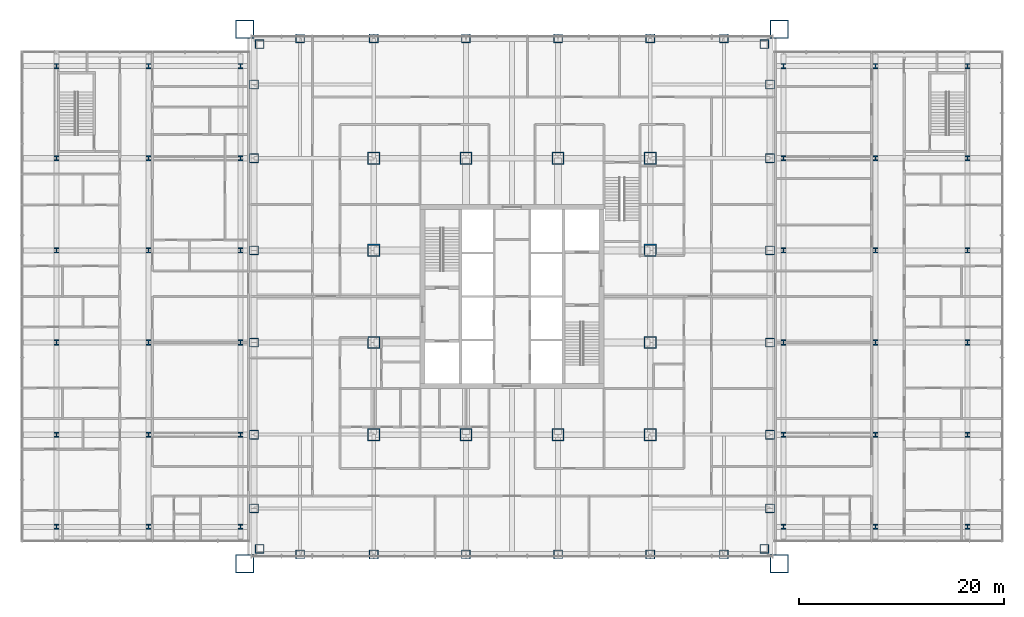
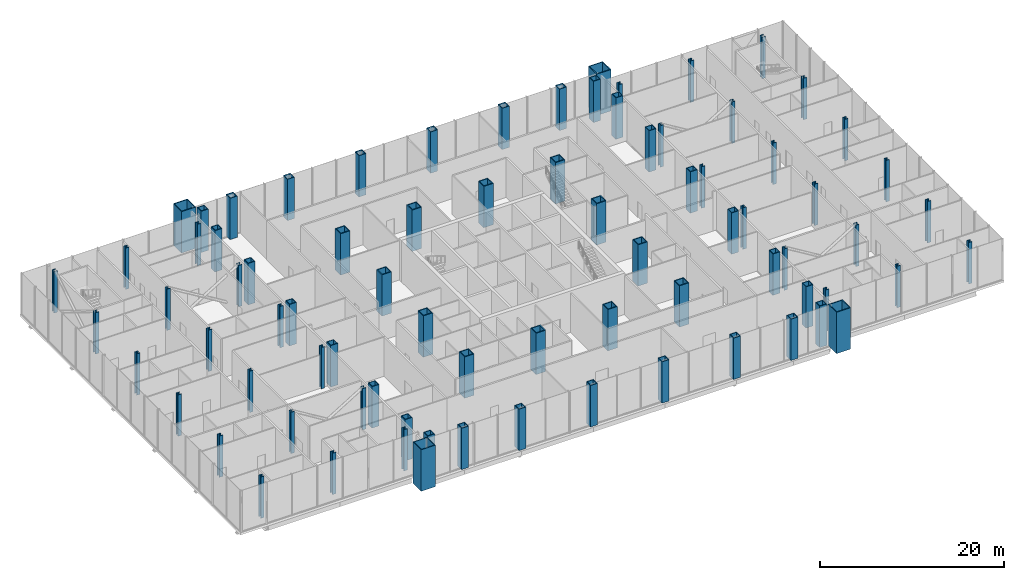
# One storey, part 1 of 25: 80 columns.
"""IFC4 building model written with IfcOpenShell, lengths in metres."""

from ifc_helpers import new_model, si_unit, direction, frame, origin, origin_2d, place, context, subcontext, project, spatial, hollow_rectangle, i_section, extrude, material, material_profile, profile_set, type_object, element, save


model = new_model("IFC4")

# Units and contexts
model_context = context("Model", 3, precision=1e-05, world=origin(), true_north=direction((0.0, 1.0)))
body_context = subcontext(model_context, "Body", "Model", "MODEL_VIEW")
ifc_project = project(units=[si_unit("LENGTHUNIT", "METRE"), si_unit("AREAUNIT", "SQUARE_METRE"), si_unit("VOLUMEUNIT", "CUBIC_METRE"), si_unit("PLANEANGLEUNIT", "RADIAN"), si_unit("MASSUNIT", "GRAM", prefix="KILO")], contexts=[model_context])

# Site, building, storey
site_placement = place(None, origin())
site = spatial("IfcSite", under=ifc_project, at=site_placement, CompositionType="ELEMENT")
building_placement = place(site_placement, origin())
building = spatial("IfcBuilding", under=site, at=building_placement, Name="Malebo Sky Hospital", CompositionType="ELEMENT")
storey_placement = place(building_placement, frame((0.0, 0.0, 11.0)))
storey = spatial("IfcBuildingStorey", under=building, at=storey_placement, Name="L02", CompositionType="ELEMENT", Elevation=11.0)

# Columns
ifc_material_1 = material(Name="Steel S460", Category="steel")
ifc_material_profile_1 = material_profile(ifc_material_1, hollow_rectangle(XDim=1.199951171875, YDim=1.199951171875, WallThickness=0.10009765625, at=origin_2d()), Name="BOX 1200x1200x100")
ifc_profile_set_1 = profile_set([ifc_material_profile_1], Name="Steel S460")
column_type_1 = type_object("IfcColumnType", Name="INNER COLUMN BOX 1200x1200x100", PredefinedType="COLUMN", material=ifc_profile_set_1)
for number, where, z_axis, x_axis, name in (
    (1, (46.5, 48.5, 0.0), (0.0, 0.0, 1.0), (1.0, 0.0, 0.0), "Column IC11 L02"),
    (2, (73.5, 48.5, 0.0), (0.0, 0.0, 1.0), (1.0, 0.0, 0.0), "Column IC11 L02"),
    (3, (73.5, 75.5, 0.0), (0.0, 0.0, 1.0), (1.0, 0.0, 0.0), "Column IC11 L02"),
    (4, (46.5, 75.5, 0.0), (0.0, 0.0, 1.0), (1.0, 0.0, 0.0), "Column IC11 L02"),
    (5, (55.5, 48.5, 0.0), (0.0, 0.0, 1.0), (1.0, 0.0, 0.0), "Column IC11 L02"),
    (6, (64.5, 48.5, 0.0), (0.0, 0.0, 1.0), (1.0, 0.0, 0.0), "Column IC11 L02"),
    (7, (55.5, 75.5, 0.0), (0.0, 0.0, 1.0), (1.0, 0.0, 0.0), "Column IC11 L02"),
    (8, (64.5, 75.5, 0.0), (0.0, 0.0, 1.0), (1.0, 0.0, 0.0), "Column IC11 L02"),
    (9, (46.5, 57.5, 0.0), (0.0, 0.0, 1.0), (1.0, 0.0, 0.0), "Column IC11 L02"),
    (10, (46.5, 66.5, 0.0), (0.0, 0.0, 1.0), (1.0, 0.0, 0.0), "Column IC11 L02"),
    (11, (73.5, 57.5, 0.0), (0.0, 0.0, 1.0), (1.0, 0.0, 0.0), "Column IC11 L02"),
    (12, (73.5, 66.5, 0.0), (0.0, 0.0, 1.0), (1.0, 0.0, 0.0), "Column IC11 L02"),
):
    element("IfcColumn", number, at=place(storey_placement, frame(where, z_axis=z_axis, x_axis=x_axis)), inside=storey, type_object=column_type_1, Name=name, PredefinedType="COLUMN", context=body_context, shape_type="SweptSolid", body=[
        extrude(hollow_rectangle(XDim=1.199951171875, YDim=1.199951171875, WallThickness=0.10009765625, at=origin_2d()), origin(), (0.0, 0.0, 1.0), 5.5),
    ])
ifc_material_profile_2 = material_profile(ifc_material_1, hollow_rectangle(XDim=1.800048828125, YDim=1.800048828125, WallThickness=0.10009765625, at=origin_2d()), Name="BOX 1800x1800x100")
ifc_profile_set_2 = profile_set([ifc_material_profile_2], Name="Steel S460")
column_type_2 = type_object("IfcColumnType", Name="MEGA COLUMN BOX 1800x1800x100", PredefinedType="COLUMN", material=ifc_profile_set_2)
for number, where, z_axis, x_axis, name in (
    (13, (33.89990234375, 35.89990234375, 0.0), (0.0, 0.0, 1.0), (1.0, 0.0, 0.0), "Mega column SW L02"),
    (14, (86.10009765625, 35.89990234375, 0.0), (0.0, 0.0, 1.0), (1.0, 0.0, 0.0), "Mega column SE L02"),
    (15, (86.10009765625, 88.10009765625, 0.0), (0.0, 0.0, 1.0), (1.0, 0.0, 0.0), "Mega column NE L02"),
    (16, (33.89990234375, 88.10009765625, 0.0), (0.0, 0.0, 1.0), (1.0, 0.0, 0.0), "Mega column NW L02"),
):
    element("IfcColumn", number, at=place(storey_placement, frame(where, z_axis=z_axis, x_axis=x_axis)), inside=storey, type_object=column_type_2, Name=name, PredefinedType="COLUMN", context=body_context, shape_type="SweptSolid", body=[
        extrude(hollow_rectangle(XDim=1.800048828125, YDim=1.800048828125, WallThickness=0.10009765625, at=origin_2d()), origin(), (0.0, 0.0, 1.0), 5.5),
    ])
ifc_material_profile_3 = material_profile(ifc_material_1, hollow_rectangle(XDim=0.89990234375, YDim=0.89990234375, WallThickness=0.080078125, at=origin_2d()), Name="BOX 900x900x80")
ifc_profile_set_3 = profile_set([ifc_material_profile_3], Name="Steel S460")
column_type_3 = type_object("IfcColumnType", Name="PERIMETER COLUMN BOX 900x900x80", PredefinedType="COLUMN", material=ifc_profile_set_3)
for number, where, z_axis, x_axis, name in (
    (17, (39.300048828125, 36.800048828125, 0.0), (0.0, 0.0, 1.0), (1.0, 0.0, 0.0), "Column PC8 L02"),
    (18, (39.300048828125, 87.199951171875, 0.0), (0.0, 0.0, 1.0), (1.0, 0.0, 0.0), "Column PC8 L02"),
    (19, (34.800048828125, 41.300048828125, 0.0), (0.0, 0.0, 1.0), (1.0, 0.0, 0.0), "Column PC8 L02"),
    (20, (85.199951171875, 41.300048828125, 0.0), (0.0, 0.0, 1.0), (1.0, 0.0, 0.0), "Column PC8 L02"),
    (21, (46.5, 36.800048828125, 0.0), (0.0, 0.0, 1.0), (1.0, 0.0, 0.0), "Column PC8 L02"),
    (22, (46.5, 87.199951171875, 0.0), (0.0, 0.0, 1.0), (1.0, 0.0, 0.0), "Column PC8 L02"),
    (23, (34.800048828125, 48.5, 0.0), (0.0, 0.0, 1.0), (1.0, 0.0, 0.0), "Column PC8 L02"),
    (24, (85.199951171875, 48.5, 0.0), (0.0, 0.0, 1.0), (1.0, 0.0, 0.0), "Column PC8 L02"),
    (25, (55.5, 36.800048828125, 0.0), (0.0, 0.0, 1.0), (1.0, 0.0, 0.0), "Column PC8 L02"),
    (26, (55.5, 87.199951171875, 0.0), (0.0, 0.0, 1.0), (1.0, 0.0, 0.0), "Column PC8 L02"),
    (27, (34.800048828125, 57.5, 0.0), (0.0, 0.0, 1.0), (1.0, 0.0, 0.0), "Column PC8 L02"),
    (28, (85.199951171875, 57.5, 0.0), (0.0, 0.0, 1.0), (1.0, 0.0, 0.0), "Column PC8 L02"),
    (29, (64.5, 36.800048828125, 0.0), (0.0, 0.0, 1.0), (1.0, 0.0, 0.0), "Column PC8 L02"),
    (30, (64.5, 87.199951171875, 0.0), (0.0, 0.0, 1.0), (1.0, 0.0, 0.0), "Column PC8 L02"),
    (31, (34.800048828125, 66.5, 0.0), (0.0, 0.0, 1.0), (1.0, 0.0, 0.0), "Column PC8 L02"),
    (32, (85.199951171875, 66.5, 0.0), (0.0, 0.0, 1.0), (1.0, 0.0, 0.0), "Column PC8 L02"),
    (33, (73.5, 36.800048828125, 0.0), (0.0, 0.0, 1.0), (1.0, 0.0, 0.0), "Column PC8 L02"),
    (34, (73.5, 87.199951171875, 0.0), (0.0, 0.0, 1.0), (1.0, 0.0, 0.0), "Column PC8 L02"),
    (35, (34.800048828125, 75.5, 0.0), (0.0, 0.0, 1.0), (1.0, 0.0, 0.0), "Column PC8 L02"),
    (36, (85.199951171875, 75.5, 0.0), (0.0, 0.0, 1.0), (1.0, 0.0, 0.0), "Column PC8 L02"),
    (37, (80.699951171875, 36.800048828125, 0.0), (0.0, 0.0, 1.0), (1.0, 0.0, 0.0), "Column PC8 L02"),
    (38, (80.699951171875, 87.199951171875, 0.0), (0.0, 0.0, 1.0), (1.0, 0.0, 0.0), "Column PC8 L02"),
    (39, (34.800048828125, 82.699951171875, 0.0), (0.0, 0.0, 1.0), (1.0, 0.0, 0.0), "Column PC8 L02"),
    (40, (85.199951171875, 82.699951171875, 0.0), (0.0, 0.0, 1.0), (1.0, 0.0, 0.0), "Column PC8 L02"),
    (41, (35.35009765625, 37.35009765625, 0.0), (0.0, 0.0, 1.0), (1.0, 0.0, 0.0), "Column PC8 L02"),
    (42, (84.64990234375, 37.35009765625, 0.0), (0.0, 0.0, 1.0), (1.0, 0.0, 0.0), "Column PC8 L02"),
    (43, (84.64990234375, 86.64990234375, 0.0), (0.0, 0.0, 1.0), (1.0, 0.0, 0.0), "Column PC8 L02"),
    (44, (35.35009765625, 86.64990234375, 0.0), (0.0, 0.0, 1.0), (1.0, 0.0, 0.0), "Column PC8 L02"),
):
    element("IfcColumn", number, at=place(storey_placement, frame(where, z_axis=z_axis, x_axis=x_axis)), inside=storey, type_object=column_type_3, Name=name, PredefinedType="COLUMN", context=body_context, shape_type="SweptSolid", body=[
        extrude(hollow_rectangle(XDim=0.89990234375, YDim=0.89990234375, WallThickness=0.080078125, at=origin_2d()), origin(), (0.0, 0.0, 1.0), 5.5),
    ])
ifc_material_2 = material(Name="Steel S355", Category="steel")
ifc_material_profile_4 = material_profile(ifc_material_2, i_section(OverallWidth=0.431884765625, OverallDepth=0.498046875, WebThickness=0.0556640625, FlangeThickness=0.0888671875, FilletRadius=0.014892578125, at=origin_2d()), Name="HD 400x744")
ifc_profile_set_4 = profile_set([ifc_material_profile_4], Name="Steel S355")
column_type_4 = type_object("IfcColumnType", Name="PODIUM COLUMN HD 400x744", PredefinedType="COLUMN", material=ifc_profile_set_4)
for number, where, z_axis, x_axis, name in (
    (45, (15.5, 39.5, 0.0), (0.0, 0.0, 1.0), (1.0, 0.0, 0.0), "Podium column 15.5/39.5 L02"),
    (46, (15.5, 48.5, 0.0), (0.0, 0.0, 1.0), (1.0, 0.0, 0.0), "Podium column 15.5/48.5 L02"),
    (47, (15.5, 57.5, 0.0), (0.0, 0.0, 1.0), (1.0, 0.0, 0.0), "Podium column 15.5/57.5 L02"),
    (48, (15.5, 66.5, 0.0), (0.0, 0.0, 1.0), (1.0, 0.0, 0.0), "Podium column 15.5/66.5 L02"),
    (49, (15.5, 75.5, 0.0), (0.0, 0.0, 1.0), (1.0, 0.0, 0.0), "Podium column 15.5/75.5 L02"),
    (50, (15.5, 84.5, 0.0), (0.0, 0.0, 1.0), (1.0, 0.0, 0.0), "Podium column 15.5/84.5 L02"),
    (51, (24.5, 39.5, 0.0), (0.0, 0.0, 1.0), (1.0, 0.0, 0.0), "Podium column 24.5/39.5 L02"),
    (52, (24.5, 48.5, 0.0), (0.0, 0.0, 1.0), (1.0, 0.0, 0.0), "Podium column 24.5/48.5 L02"),
    (53, (24.5, 57.5, 0.0), (0.0, 0.0, 1.0), (1.0, 0.0, 0.0), "Podium column 24.5/57.5 L02"),
    (54, (24.5, 66.5, 0.0), (0.0, 0.0, 1.0), (1.0, 0.0, 0.0), "Podium column 24.5/66.5 L02"),
    (55, (24.5, 75.5, 0.0), (0.0, 0.0, 1.0), (1.0, 0.0, 0.0), "Podium column 24.5/75.5 L02"),
    (56, (24.5, 84.5, 0.0), (0.0, 0.0, 1.0), (1.0, 0.0, 0.0), "Podium column 24.5/84.5 L02"),
    (57, (33.5, 39.5, 0.0), (0.0, 0.0, 1.0), (1.0, 0.0, 0.0), "Podium column 33.5/39.5 L02"),
    (58, (33.5, 48.5, 0.0), (0.0, 0.0, 1.0), (1.0, 0.0, 0.0), "Podium column 33.5/48.5 L02"),
    (59, (33.5, 57.5, 0.0), (0.0, 0.0, 1.0), (1.0, 0.0, 0.0), "Podium column 33.5/57.5 L02"),
    (60, (33.5, 66.5, 0.0), (0.0, 0.0, 1.0), (1.0, 0.0, 0.0), "Podium column 33.5/66.5 L02"),
    (61, (33.5, 75.5, 0.0), (0.0, 0.0, 1.0), (1.0, 0.0, 0.0), "Podium column 33.5/75.5 L02"),
    (62, (33.5, 84.5, 0.0), (0.0, 0.0, 1.0), (1.0, 0.0, 0.0), "Podium column 33.5/84.5 L02"),
    (63, (86.5, 39.5, 0.0), (0.0, 0.0, 1.0), (1.0, 0.0, 0.0), "Podium column 86.5/39.5 L02"),
    (64, (86.5, 48.5, 0.0), (0.0, 0.0, 1.0), (1.0, 0.0, 0.0), "Podium column 86.5/48.5 L02"),
    (65, (86.5, 57.5, 0.0), (0.0, 0.0, 1.0), (1.0, 0.0, 0.0), "Podium column 86.5/57.5 L02"),
    (66, (86.5, 66.5, 0.0), (0.0, 0.0, 1.0), (1.0, 0.0, 0.0), "Podium column 86.5/66.5 L02"),
    (67, (86.5, 75.5, 0.0), (0.0, 0.0, 1.0), (1.0, 0.0, 0.0), "Podium column 86.5/75.5 L02"),
    (68, (86.5, 84.5, 0.0), (0.0, 0.0, 1.0), (1.0, 0.0, 0.0), "Podium column 86.5/84.5 L02"),
    (69, (95.5, 39.5, 0.0), (0.0, 0.0, 1.0), (1.0, 0.0, 0.0), "Podium column 95.5/39.5 L02"),
    (70, (95.5, 48.5, 0.0), (0.0, 0.0, 1.0), (1.0, 0.0, 0.0), "Podium column 95.5/48.5 L02"),
    (71, (95.5, 57.5, 0.0), (0.0, 0.0, 1.0), (1.0, 0.0, 0.0), "Podium column 95.5/57.5 L02"),
    (72, (95.5, 66.5, 0.0), (0.0, 0.0, 1.0), (1.0, 0.0, 0.0), "Podium column 95.5/66.5 L02"),
    (73, (95.5, 75.5, 0.0), (0.0, 0.0, 1.0), (1.0, 0.0, 0.0), "Podium column 95.5/75.5 L02"),
    (74, (95.5, 84.5, 0.0), (0.0, 0.0, 1.0), (1.0, 0.0, 0.0), "Podium column 95.5/84.5 L02"),
    (75, (104.5, 39.5, 0.0), (0.0, 0.0, 1.0), (1.0, 0.0, 0.0), "Podium column 104.5/39.5 L02"),
    (76, (104.5, 48.5, 0.0), (0.0, 0.0, 1.0), (1.0, 0.0, 0.0), "Podium column 104.5/48.5 L02"),
    (77, (104.5, 57.5, 0.0), (0.0, 0.0, 1.0), (1.0, 0.0, 0.0), "Podium column 104.5/57.5 L02"),
    (78, (104.5, 66.5, 0.0), (0.0, 0.0, 1.0), (1.0, 0.0, 0.0), "Podium column 104.5/66.5 L02"),
    (79, (104.5, 75.5, 0.0), (0.0, 0.0, 1.0), (1.0, 0.0, 0.0), "Podium column 104.5/75.5 L02"),
    (80, (104.5, 84.5, 0.0), (0.0, 0.0, 1.0), (1.0, 0.0, 0.0), "Podium column 104.5/84.5 L02"),
):
    element("IfcColumn", number, at=place(storey_placement, frame(where, z_axis=z_axis, x_axis=x_axis)), inside=storey, type_object=column_type_4, Name=name, PredefinedType="COLUMN", context=body_context, shape_type="SweptSolid", body=[
        extrude(i_section(OverallWidth=0.431884765625, OverallDepth=0.498046875, WebThickness=0.0556640625, FlangeThickness=0.0888671875, FilletRadius=0.014892578125, at=origin_2d()), origin(), (0.0, 0.0, 1.0), 5.5),
    ])

save(model, "model.ifc")
